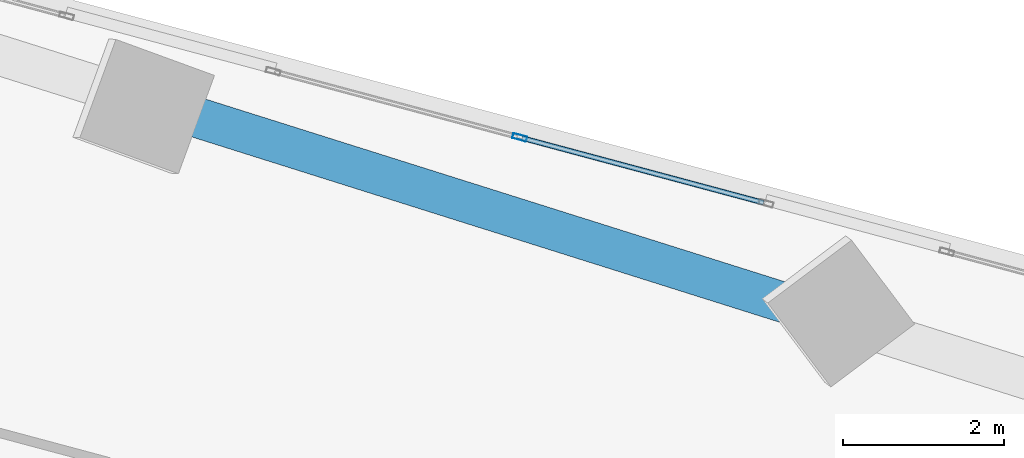
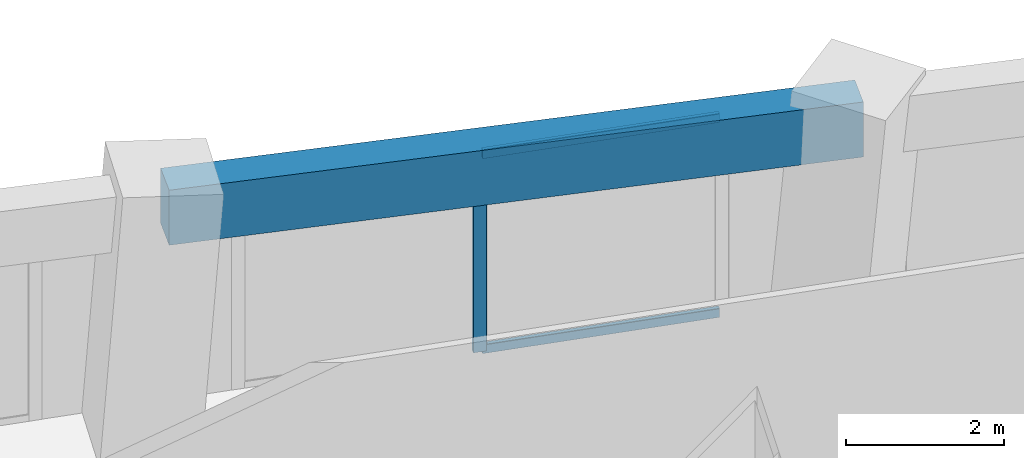
# One storey, part 16 of 27: 3 members, 1 beam, 1 element without a shape of its own.
"""IFC4 building model written with IfcOpenShell, lengths in metres."""

import ifcopenshell
import ifcopenshell.guid

model = None  # the IFC model being written
_history = None  # IfcOwnerHistory: only IFC2X3 demands one
_inside = {}  # id of a spatial element -> (the spatial element, [elements in it])
_under = {}  # id of a project, library or spatial element -> (it, [spatial elements below it])
_declared = {}  # id of a project -> (the project, [libraries it declares])
_typed = {}  # id of a type object -> (the type object, [elements of that type])
_made_of = {}  # id of a material, layer set ... -> (it, [elements and type objects made of it])


def new_model(schema):
    """Start an empty IFC model of exactly this schema.

    Asked for "IFC4X3", IfcOpenShell would pick the latest addendum, in which some entities
    have other attributes; the version numbers below select the first issue.
    IFC2X3 requires an IfcOwnerHistory on every rooted entity: one is made here for all.
    """
    global model, _history
    if schema == "IFC4X3":
        model = ifcopenshell.file(schema_version=(4, 3, 0, 0))
    else:
        model = ifcopenshell.file(schema=schema)
    _inside.clear()
    _under.clear()
    _declared.clear()
    _typed.clear()
    _made_of.clear()
    _history = None
    if model.schema == "IFC2X3":
        org = make("IfcOrganization", Name="unknown")
        user = make(
            "IfcPersonAndOrganization",
            ThePerson=make("IfcPerson", FamilyName="unknown"),
            TheOrganization=org,
        )
        app = make(
            "IfcApplication",
            ApplicationDeveloper=org,
            Version="unknown",
            ApplicationFullName="unknown",
            ApplicationIdentifier="unknown",
        )
        _history = make(
            "IfcOwnerHistory",
            OwningUser=user,
            OwningApplication=app,
            ChangeAction="ADDED",
            CreationDate=0,
        )
    return model


def make(cls, **values):
    """One entity of the class cls with the attributes given. An attribute that is None is left unset."""
    return model.create_entity(
        cls, **{name: value for name, value in values.items() if value is not None}
    )


def rooted(cls, **values):
    """An entity with a GlobalId (a new one), such as an element, a storey or a relation."""
    return make(cls, GlobalId=ifcopenshell.guid.new(), OwnerHistory=_history, **values)


def si_unit(unit_type, name, prefix=None):
    """IfcSIUnit, for example si_unit("LENGTHUNIT", "METRE", prefix="MILLI")."""
    return make("IfcSIUnit", UnitType=unit_type, Prefix=prefix, Name=name)


def assignment(units):
    """IfcUnitAssignment: the units of a project."""
    return None if units is None else make("IfcUnitAssignment", Units=units)


def point(xyz):
    """IfcCartesianPoint."""
    return None if xyz is None else make("IfcCartesianPoint", Coordinates=xyz)


def direction(xyz):
    """IfcDirection."""
    return None if xyz is None else make("IfcDirection", DirectionRatios=xyz)


def frame(location, z_axis=None, x_axis=None):
    """IfcAxis2Placement3D, a coordinate frame: its origin and axes. An axis left out is left unset."""
    return make(
        "IfcAxis2Placement3D",
        Location=point(location),
        Axis=direction(z_axis),
        RefDirection=direction(x_axis),
    )


def frame_2d(location, x_axis=None):
    """IfcAxis2Placement2D, a coordinate frame in the plane: its origin and x axis."""
    return make(
        "IfcAxis2Placement2D", Location=point(location), RefDirection=direction(x_axis)
    )


def origin():
    """The frame at (0, 0, 0) with its axes left unset."""
    return frame((0.0, 0.0, 0.0))


def origin_2d():
    """The frame at (0, 0) in the plane with its x axis left unset."""
    return frame_2d((0.0, 0.0))


def place(relative_to, where):
    """IfcLocalPlacement: puts the frame where relative to a parent placement (None: the world)."""
    return make(
        "IfcLocalPlacement", PlacementRelTo=relative_to, RelativePlacement=where
    )


def context(
    kind, dimensions, precision=None, world=None, true_north=None, identifier=None
):
    """IfcGeometricRepresentationContext, for example the 3D "Model" context."""
    return make(
        "IfcGeometricRepresentationContext",
        ContextIdentifier=identifier,
        ContextType=kind,
        CoordinateSpaceDimension=dimensions,
        Precision=precision,
        WorldCoordinateSystem=world,
        TrueNorth=true_north,
    )


def subcontext(parent, identifier, kind, view, scale=None):
    """IfcGeometricRepresentationSubContext, for example "Body" below "Model"."""
    return make(
        "IfcGeometricRepresentationSubContext",
        ContextIdentifier=identifier,
        ContextType=kind,
        ParentContext=parent,
        TargetScale=scale,
        TargetView=view,
    )


def project(units=None, contexts=None):
    """IfcProject with its units and contexts."""
    return rooted(
        "IfcProject",
        Name="project",
        RepresentationContexts=contexts,
        UnitsInContext=assignment(units),
    )


def spatial(cls, under=None, at=None, **own):
    """A site, building, storey or space (cls), placed at a placement, below another one or the project."""
    s = rooted(cls, ObjectPlacement=at, **own)
    if under is not None:
        _under.setdefault(under.id(), (under, []))[1].append(s)
    return s


def profile(cls, at=None, kind="AREA", **sizes):
    """A parametric profile (cls). Its sizes go by their IFC names, for example OverallWidth=200.0."""
    return make(cls, ProfileType=kind, Position=at, **sizes)


def rectangle(**sizes):
    """IfcRectangleProfileDef."""
    return profile("IfcRectangleProfileDef", **sizes)


def hollow_rectangle(**sizes):
    """IfcRectangleHollowProfileDef."""
    return profile("IfcRectangleHollowProfileDef", **sizes)


def extrude(swept, where, along, depth):
    """IfcExtrudedAreaSolid: the profile swept, set in the frame where, extruded along a direction by depth."""
    return make(
        "IfcExtrudedAreaSolid",
        SweptArea=swept,
        Position=where,
        ExtrudedDirection=direction(along),
        Depth=depth,
    )


def shape(context_of_items, identifier, shape_type, items):
    """IfcShapeRepresentation: the items that make up one representation, for example the "Body"."""
    return make(
        "IfcShapeRepresentation",
        ContextOfItems=context_of_items,
        RepresentationIdentifier=identifier,
        RepresentationType=shape_type,
        Items=items,
    )


def source(mapping_origin, context_of_items, identifier, shape_type, items):
    """IfcRepresentationMap: a shape defined once, which mapped items show again and again."""
    return make(
        "IfcRepresentationMap",
        MappingOrigin=mapping_origin,
        MappedRepresentation=shape(context_of_items, identifier, shape_type, items),
    )


def transform(
    local_origin,
    x_axis=None,
    y_axis=None,
    z_axis=None,
    scale=None,
    scale2=None,
    scale3=None,
    uniform=True,
):
    """IfcCartesianTransformationOperator3D, or its non-uniform kind. x_axis, y_axis, z_axis: its Axis1, 2, 3."""
    if uniform:
        return make(
            "IfcCartesianTransformationOperator3D",
            Axis1=direction(x_axis),
            Axis2=direction(y_axis),
            LocalOrigin=point(local_origin),
            Scale=scale,
            Axis3=direction(z_axis),
        )
    return make(
        "IfcCartesianTransformationOperator3DnonUniform",
        Axis1=direction(x_axis),
        Axis2=direction(y_axis),
        LocalOrigin=point(local_origin),
        Scale=scale,
        Axis3=direction(z_axis),
        Scale2=scale2,
        Scale3=scale3,
    )


def mapped(mapping_source, mapping_target):
    """IfcMappedItem: shows the shape of a source again, moved by a transform."""
    return make(
        "IfcMappedItem", MappingSource=mapping_source, MappingTarget=mapping_target
    )


def material(Name=None, Category=None):
    """IfcMaterial."""
    return make("IfcMaterial", Name=Name, Category=Category)


def material_profile(
    of_material, cross_section, Name=None, Category=None, Priority=None
):
    """IfcMaterialProfile: a cross section and its material."""
    return make(
        "IfcMaterialProfile",
        Name=Name,
        Material=of_material,
        Profile=cross_section,
        Priority=Priority,
        Category=Category,
    )


def profile_set(profiles, Name=None, composite=None):
    """IfcMaterialProfileSet."""
    return make(
        "IfcMaterialProfileSet",
        Name=Name,
        MaterialProfiles=profiles,
        CompositeProfile=composite,
    )


def made_of(thing, what):
    """Note that an element or type object is made of a material, layer set ...; save() writes the relation."""
    if what is not None:
        _made_of.setdefault(what.id(), (what, []))[1].append(thing)
    return thing


def type_object(cls, material=None, **own):
    """A type object (cls), such as IfcWallType, which elements share."""
    return made_of(rooted(cls, **own), material)


def element(
    cls,
    number,
    at=None,
    inside=None,
    cuts=None,
    type_object=None,
    material=None,
    context=None,
    identifier="Body",
    shape_type=None,
    held_by="IfcProductDefinitionShape",
    body=None,
    shapes=None,
    **own,
):
    """One element of the class cls, such as IfcWall. Its Tag is "e" and its number.

    at: its placement. inside: the storey or other place that contains it. cuts: it is an
    opening in that element (IfcRelVoidsElement). A single representation is given by context,
    identifier, shape_type and body (its items); several are given by shapes. held_by: the class
    of the entity that holds the representations. save() writes the other relations.
    """
    e = rooted(cls, Tag="e%d" % number, ObjectPlacement=at, **own)
    if body is not None:
        shapes = [shape(context, identifier, shape_type, body)]
    if shapes is not None:
        e.Representation = make(held_by, Representations=shapes)
    if inside is not None:
        _inside.setdefault(inside.id(), (inside, []))[1].append(e)
    if cuts is not None:
        rooted(
            "IfcRelVoidsElement", RelatingBuildingElement=cuts, RelatedOpeningElement=e
        )
    if type_object is not None:
        _typed.setdefault(type_object.id(), (type_object, []))[1].append(e)
    return made_of(e, material)


def aggregate(whole, parts):
    """IfcRelAggregates: a whole, such as a stair, and the parts it consists of."""
    return rooted("IfcRelAggregates", RelatingObject=whole, RelatedObjects=parts)


def save(model, path):
    """Write the relations noted so far, then the file.

    IfcRelAggregates (storeys below a building ...), IfcRelContainedInSpatialStructure (elements
    in a storey), IfcRelDefinesByType, IfcRelAssociatesMaterial and IfcRelDeclares: one each for
    every whole, place, type object, material and project.
    """
    for whole, parts in _under.values():
        aggregate(whole, parts)
    for where, things in _inside.values():
        rooted(
            "IfcRelContainedInSpatialStructure",
            RelatedElements=things,
            RelatingStructure=where,
        )
    for kind, things in _typed.values():
        rooted("IfcRelDefinesByType", RelatedObjects=things, RelatingType=kind)
    for what, things in _made_of.values():
        rooted("IfcRelAssociatesMaterial", RelatedObjects=things, RelatingMaterial=what)
    for by, libraries in _declared.values():
        rooted("IfcRelDeclares", RelatingContext=by, RelatedDefinitions=libraries)
    model.write(path)


model = new_model("IFC4")

# Units and contexts
model_context = context("Model", 3, precision=1e-05, world=origin(), true_north=direction((0.0, 1.0)))
body_context = subcontext(model_context, "Body", "Model", "MODEL_VIEW")
ifc_project = project(units=[si_unit("LENGTHUNIT", "METRE"), si_unit("AREAUNIT", "SQUARE_METRE"), si_unit("VOLUMEUNIT", "CUBIC_METRE"), si_unit("PLANEANGLEUNIT", "RADIAN"), si_unit("MASSUNIT", "GRAM", prefix="KILO")], contexts=[model_context])

# Site, building, storey
site_placement = place(None, origin())
site = spatial("IfcSite", under=ifc_project, at=site_placement, CompositionType="ELEMENT")
building_placement = place(site_placement, origin())
building = spatial("IfcBuilding", under=site, at=building_placement, Name="Torre Montelarca", CompositionType="ELEMENT")
storey_placement = place(building_placement, frame((0.0, 0.0, 108.39990234375)))
storey = spatial("IfcBuildingStorey", under=building, at=storey_placement, Name="L24", CompositionType="ELEMENT", Elevation=108.39990234375)

# Beam
ifc_material_1 = material(Name="Concrete C55/67", Category="concrete")
ifc_material_profile_1 = material_profile(ifc_material_1, rectangle(XDim=0.5, YDim=0.85009765625, at=origin_2d()), Name="RCB500X850", Category="concrete")
ifc_profile_set_1 = profile_set([ifc_material_profile_1], Name="Concrete C55/67")
beam_type = type_object("IfcBeamType", Name="BM-SP-RC850-EXT", PredefinedType="SPANDREL", material=ifc_profile_set_1)
shared_shape_1 = source(origin(), body_context, "Body", "SweptSolid", [
    extrude(rectangle(XDim=0.5, YDim=0.85009765625, at=origin_2d()), origin(), (0.0, 0.0, 1.0), 8.999755859375),
])
beam_placement = place(storey_placement, frame((22.7177734375, 47.501220703125, 3.53515625), z_axis=(0.953716635826, -0.300706798308, 0.0), x_axis=(0.300706798308, 0.953716635826, 0.0)))
element("IfcBeam", 1, at=beam_placement, inside=storey, type_object=beam_type, Name="L24 Grid Girder X 18.0-27.0 at Y=47.1", PredefinedType="SPANDREL", context=body_context, shape_type="MappedRepresentation", body=[
    mapped(shared_shape_1, transform((0.0, 0.0, 0.0), scale=1.0)),
])

# Curtain wall, members
ifc_material_2 = material(Name="Insulated low-E laminated glass", Category="glass")
curtain_wall_type = type_object("IfcCurtainWallType", Name="CW-SYS-Z1", PredefinedType="USERDEFINED", material=ifc_material_2)
curtain_wall_placement = place(storey_placement, origin())
curtain_wall = element("IfcCurtainWall", 2, at=curtain_wall_placement, inside=storey, type_object=curtain_wall_type, Name="L24 Curtain Wall Run CW-T3-L24-E08-B2", ObjectType="UNITISED GLAZING", PredefinedType="USERDEFINED")
ifc_material_3 = material(Name="Anodised aluminium AA 6063-T6", Category="aluminium")
ifc_material_profile_2 = material_profile(ifc_material_3, hollow_rectangle(XDim=0.06494140625, YDim=0.139892578125, WallThickness=0.00390625, InnerFilletRadius=0.00390625, OuterFilletRadius=0.008056640625, at=origin_2d()), Name="ALU65X140X4", Category="aluminium")
ifc_profile_set_2 = profile_set([ifc_material_profile_2], Name="Anodised aluminium AA 6063-T6")
member_type_1 = type_object("IfcMemberType", Name="CWT-ALU140", PredefinedType="USERDEFINED", material=ifc_profile_set_2)
shared_shape_2 = source(origin(), body_context, "Body", "SweptSolid", [
    extrude(hollow_rectangle(XDim=0.06494140625, YDim=0.139892578125, WallThickness=0.00390625, InnerFilletRadius=0.00390625, OuterFilletRadius=0.008056640625, at=origin_2d()), origin(), (0.0, 0.0, 1.0), 3.10498046875),
])
member_1_placement = place(storey_placement, frame((30.135498046875, 46.322998046875, 0.03271484375), z_axis=(-0.965921026573, 0.258836957222, 0.0), x_axis=(-0.258836957222, -0.965921026573, 0.0)))
member_1 = element("IfcMember", 3, at=member_1_placement, type_object=member_type_1, Name="CW transom 1.1", ObjectType="TRANSOM", PredefinedType="USERDEFINED", context=body_context, shape_type="MappedRepresentation", body=[
    mapped(shared_shape_2, transform((0.0, 0.0, 0.0), scale=1.0)),
])
member_2_placement = place(storey_placement, frame((30.135498046875, 46.322998046875, 3.04248046875), z_axis=(-0.965921026573, 0.258836957222, 0.0), x_axis=(-0.258836957222, -0.965921026573, 0.0)))
member_2 = element("IfcMember", 4, at=member_2_placement, type_object=member_type_1, Name="CW transom 1.2", ObjectType="TRANSOM", PredefinedType="USERDEFINED", context=body_context, shape_type="MappedRepresentation", body=[
    mapped(shared_shape_2, transform((0.0, 0.0, 0.0), scale=1.0)),
])
ifc_material_profile_3 = material_profile(ifc_material_3, hollow_rectangle(XDim=0.06494140625, YDim=0.179931640625, WallThickness=0.00390625, InnerFilletRadius=0.00390625, OuterFilletRadius=0.008056640625, at=origin_2d()), Name="ALU65X180X4", Category="aluminium")
ifc_profile_set_3 = profile_set([ifc_material_profile_3], Name="Anodised aluminium AA 6063-T6")
member_type_2 = type_object("IfcMemberType", Name="CWM-ALU180", PredefinedType="MULLION", material=ifc_profile_set_3)
shared_shape_3 = source(origin(), body_context, "Body", "SweptSolid", [
    extrude(hollow_rectangle(XDim=0.06494140625, YDim=0.179931640625, WallThickness=0.00390625, InnerFilletRadius=0.00390625, OuterFilletRadius=0.008056640625, at=origin_2d()), origin(), (0.0, 0.0, 1.0), 3.0751953125),
])
member_3_placement = place(storey_placement, frame((27.10498046875, 47.135009765625, 0.0), z_axis=(0.0, 0.0, 1.0), x_axis=(-0.258826610554, -0.965923799101, 0.0)))
member_3 = element("IfcMember", 5, at=member_3_placement, type_object=member_type_2, Name="CW mullion 2", PredefinedType="MULLION", context=body_context, shape_type="MappedRepresentation", body=[
    mapped(shared_shape_3, transform((0.0, 0.0, 0.0), scale=1.0)),
])
aggregate(curtain_wall, [member_3, member_1, member_2])

save(model, "model.ifc")
